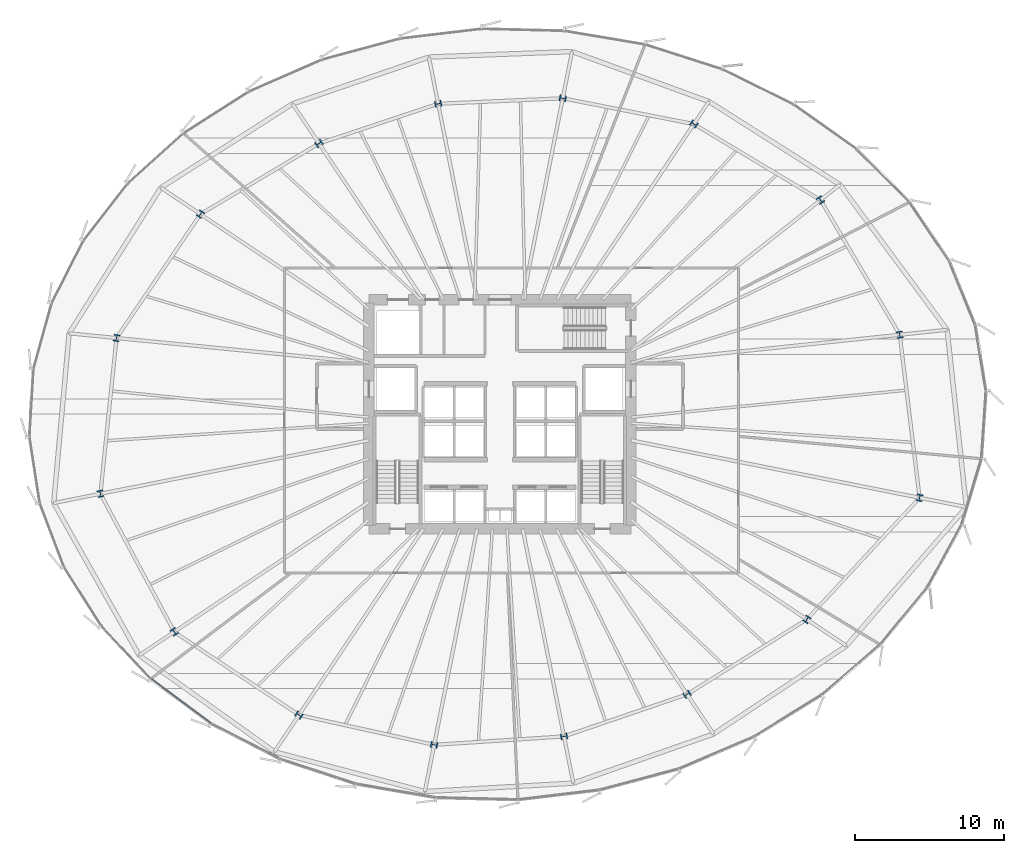
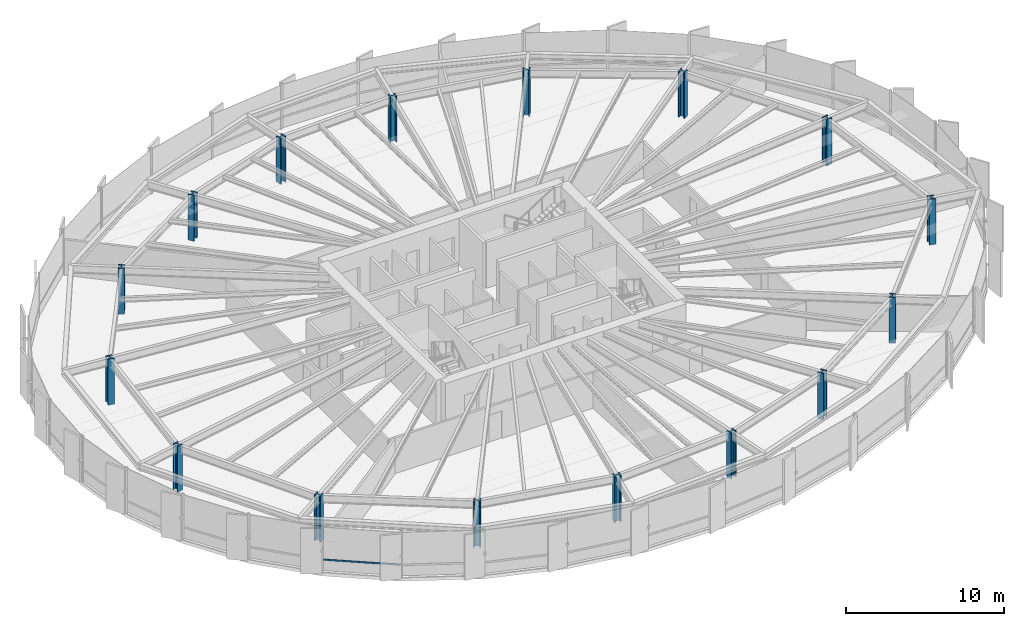
# One storey, part 1 of 39: 16 columns, 1 member, 1 element without a shape of its own.
"""IFC4 building model written with IfcOpenShell, lengths in metres."""

from ifc_helpers import new_model, si_unit, direction, frame, origin, origin_2d, place, context, subcontext, project, spatial, hollow_rectangle, i_section, extrude, source, transform, mapped, material, layer, layer_set, material_profile, profile_set, type_object, element, aggregate, save


model = new_model("IFC4")

# Units and contexts
model_context = context("Model", 3, precision=1e-05, world=origin(), true_north=direction((0.0, 1.0)))
body_context = subcontext(model_context, "Body", "Model", "MODEL_VIEW")
ifc_project = project(units=[si_unit("LENGTHUNIT", "METRE"), si_unit("AREAUNIT", "SQUARE_METRE"), si_unit("VOLUMEUNIT", "CUBIC_METRE"), si_unit("PLANEANGLEUNIT", "RADIAN"), si_unit("MASSUNIT", "GRAM", prefix="KILO"), si_unit("THERMODYNAMICTEMPERATUREUNIT", "KELVIN")], contexts=[model_context])

# Site, building, storey
site_placement = place(None, origin())
site = spatial("IfcSite", under=ifc_project, at=site_placement, CompositionType="ELEMENT")
building_placement = place(site_placement, origin())
building = spatial("IfcBuilding", under=site, at=building_placement, Name="Kethvar Cultural Tower", CompositionType="ELEMENT")
storey_placement = place(building_placement, frame((0.0, 0.0, 41.0)))
storey = spatial("IfcBuildingStorey", under=building, at=storey_placement, Name="L09", CompositionType="ELEMENT", Elevation=41.0)

# Columns
ifc_material_1 = material(Name="Steel S460M", Category="steel")
ifc_material_profile_1 = material_profile(ifc_material_1, i_section(OverallWidth=0.423095703125, OverallDepth=0.468994140625, WebThickness=0.051025390625, FlangeThickness=0.0810546875, FilletRadius=0.014892578125, at=origin_2d()), Name="Steel S460M — HD400x1086")
ifc_profile_set_1 = profile_set([ifc_material_profile_1], Name="Steel S460M — HD400x1086")
column_type = type_object("IfcColumnType", Name="COL-HD1086", PredefinedType="COLUMN", material=ifc_profile_set_1)
shared_shape_1 = source(origin(), body_context, "Body", "SweptSolid", [
    extrude(i_section(OverallWidth=0.423095703125, OverallDepth=0.468994140625, WebThickness=0.051025390625, FlangeThickness=0.0810546875, FilletRadius=0.014892578125, at=origin_2d()), origin(), (0.0, 0.0, 1.0), 3.550048828125),
])
for number, where, z_axis, x_axis, name in (
    (1, (73.65673828125, 33.14208984375, 0.0), (0.0, 0.0, 1.0), (0.980785280403, 0.195090322016, 0.0), "L09 Mega-Column MC-01"),
    (2, (68.33642578125, 42.190185546875, 0.0), (0.0, 0.0, 1.0), (0.831469612303, 0.55557023302, 0.0), "L09 Mega-Column MC-02"),
    (3, (59.824951171875, 47.293212890625, 0.0), (0.0, 0.0, 1.0), (0.55557023302, 0.831469612303, 0.0), "L09 Mega-Column MC-03"),
    (4, (51.022216796875, 49.02587890625, 0.0), (0.0, 0.0, 1.0), (0.195090322016, 0.980785280403, 0.0), "L09 Mega-Column MC-04"),
    (5, (42.651611328125, 48.65576171875, 0.0), (0.0, 0.0, 1.0), (-0.195090322016, 0.980785280403, 0.0), "L09 Mega-Column MC-05"),
    (6, (34.64599609375, 45.98974609375, 0.0), (0.0, 0.0, 1.0), (-0.55557023302, 0.831469612303, 0.0), "L09 Mega-Column MC-06"),
    (7, (26.6845703125, 41.24072265625, 0.0), (0.0, 0.0, 1.0), (-0.831469612303, 0.55557023302, 0.0), "L09 Mega-Column MC-07"),
    (8, (21.047119140625, 32.922607421875, 0.0), (0.0, 0.0, 1.0), (-0.980785280403, 0.195090322016, 0.0), "L09 Mega-Column MC-08"),
    (9, (19.9658203125, 22.46240234375, 0.0), (0.0, 0.0, 1.0), (-0.980785280403, -0.195090322016, 0.0), "L09 Mega-Column MC-09"),
    (10, (24.9248046875, 13.183349609375, 0.0), (0.0, 0.0, 1.0), (-0.831469612303, -0.55557023302, 0.0), "L09 Mega-Column MC-10"),
    (11, (33.302001953125, 7.598876953125, 0.0), (0.0, 0.0, 1.0), (-0.55557023302, -0.831469612303, 0.0), "L09 Mega-Column MC-11"),
    (12, (42.38330078125, 5.59619140625, 0.0), (0.0, 0.0, 1.0), (-0.195090322016, -0.980785280403, 0.0), "L09 Mega-Column MC-12"),
    (13, (51.10400390625, 6.16259765625, 0.0), (0.0, 0.0, 1.0), (0.195090322016, -0.980785280403, 0.0), "L09 Mega-Column MC-13"),
    (14, (59.370361328125, 8.987060546875, 0.0), (0.0, 0.0, 1.0), (0.55557023302, -0.831469612303, 0.0), "L09 Mega-Column MC-14"),
    (15, (67.41845703125, 14.023193359375, 0.0), (0.0, 0.0, 1.0), (0.831469612303, -0.55557023302, 0.0), "L09 Mega-Column MC-15"),
    (16, (74.9912109375, 22.1923828125, 0.0), (0.0, 0.0, 1.0), (0.980785280403, -0.195090322016, 0.0), "L09 Mega-Column MC-16"),
):
    element("IfcColumn", number, at=place(storey_placement, frame(where, z_axis=z_axis, x_axis=x_axis)), inside=storey, type_object=column_type, Name=name, PredefinedType="COLUMN", context=body_context, shape_type="MappedRepresentation", body=[
        mapped(shared_shape_1, transform((0.0, 0.0, 0.0), scale=1.0)),
    ])

# Curtain wall, member
ifc_material_2 = material(Name="Aluminium 6063-T6", Category="aluminium")
ifc_layer = layer(ifc_material_2, 0.179931640625, Name="Aluminium 6063-T6", Category="aluminium")
ifc_layer_set = layer_set([ifc_layer], Name="Aluminium 6063-T6 (180 mm)")
curtain_wall_type = type_object("IfcCurtainWallType", Name="CW-SYS-02-Z1", PredefinedType="NOTDEFINED", material=ifc_layer_set)
curtain_wall_placement = place(storey_placement, origin())
curtain_wall = element("IfcCurtainWall", 17, at=curtain_wall_placement, inside=storey, type_object=curtain_wall_type, Name="L09 Curtain Wall Run 04", PredefinedType="NOTDEFINED")
ifc_material_profile_2 = material_profile(ifc_material_2, hollow_rectangle(XDim=0.054931640625, YDim=0.1201171875, WallThickness=0.00390625, at=origin_2d()), Name="Aluminium 6063-T6 — RHS120x55x4")
ifc_profile_set_2 = profile_set([ifc_material_profile_2], Name="Aluminium 6063-T6 — RHS120x55x4")
member_type = type_object("IfcMemberType", Name="CW-SYS-02-Z1-TRN", PredefinedType="USERDEFINED", material=ifc_profile_set_2)
shared_shape_2 = source(origin(), body_context, "Body", "SweptSolid", [
    extrude(hollow_rectangle(XDim=0.054931640625, YDim=0.1201171875, WallThickness=0.00390625, at=origin_2d()), origin(), (0.0, 0.0, 1.0), 4.9658203125),
])
member_placement = place(storey_placement, frame((23.40625, 10.013671875, 0.949951171875), z_axis=(0.802353675999, -0.596848874181, 0.0), x_axis=(0.596848874181, 0.802353675999, 0.0)))
member = element("IfcMember", 18, at=member_placement, type_object=member_type, Name="CW-L09-R04 Transom 5", ObjectType="TRANSOM", PredefinedType="USERDEFINED", context=body_context, shape_type="MappedRepresentation", body=[
    mapped(shared_shape_2, transform((0.0, 0.0, 0.0), scale=1.0)),
])
aggregate(curtain_wall, [member])

save(model, "model.ifc")
